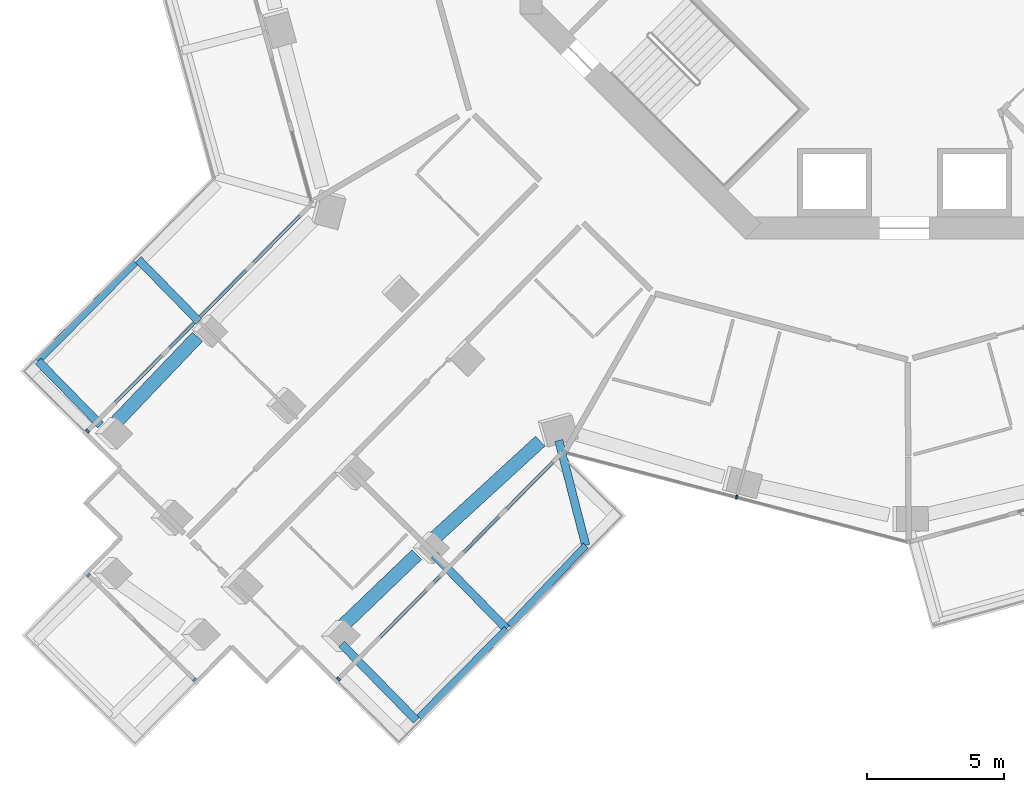
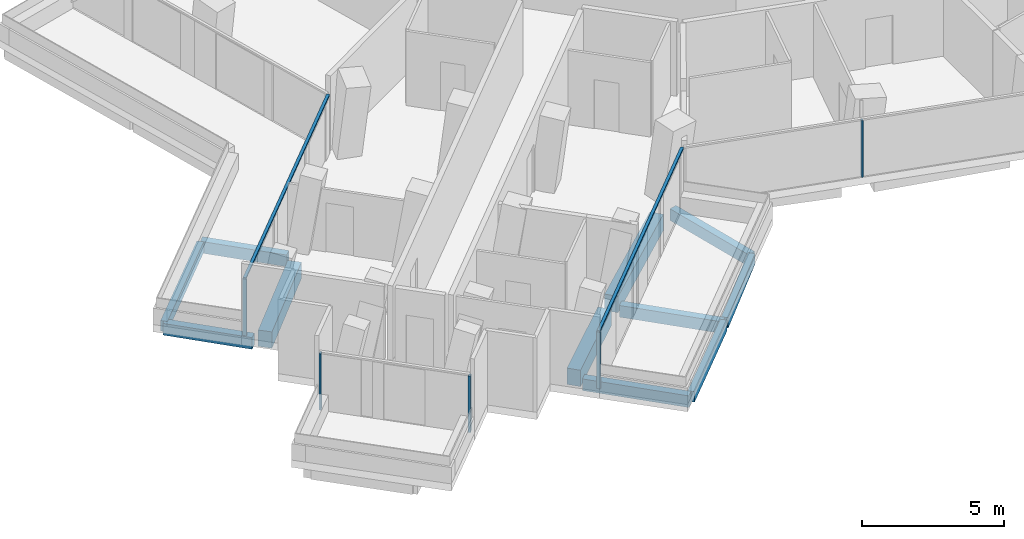
# One storey, part 2 of 26: 11 beams, 7 members, 4 elements without a shape of their own.
"""IFC4 building model written with IfcOpenShell, lengths in metres."""

import ifcopenshell
import ifcopenshell.guid

model = None  # the IFC model being written
_history = None  # IfcOwnerHistory: only IFC2X3 demands one
_inside = {}  # id of a spatial element -> (the spatial element, [elements in it])
_under = {}  # id of a project, library or spatial element -> (it, [spatial elements below it])
_declared = {}  # id of a project -> (the project, [libraries it declares])
_typed = {}  # id of a type object -> (the type object, [elements of that type])
_made_of = {}  # id of a material, layer set ... -> (it, [elements and type objects made of it])


def new_model(schema):
    """Start an empty IFC model of exactly this schema.

    Asked for "IFC4X3", IfcOpenShell would pick the latest addendum, in which some entities
    have other attributes; the version numbers below select the first issue.
    IFC2X3 requires an IfcOwnerHistory on every rooted entity: one is made here for all.
    """
    global model, _history
    if schema == "IFC4X3":
        model = ifcopenshell.file(schema_version=(4, 3, 0, 0))
    else:
        model = ifcopenshell.file(schema=schema)
    _inside.clear()
    _under.clear()
    _declared.clear()
    _typed.clear()
    _made_of.clear()
    _history = None
    if model.schema == "IFC2X3":
        org = make("IfcOrganization", Name="unknown")
        user = make(
            "IfcPersonAndOrganization",
            ThePerson=make("IfcPerson", FamilyName="unknown"),
            TheOrganization=org,
        )
        app = make(
            "IfcApplication",
            ApplicationDeveloper=org,
            Version="unknown",
            ApplicationFullName="unknown",
            ApplicationIdentifier="unknown",
        )
        _history = make(
            "IfcOwnerHistory",
            OwningUser=user,
            OwningApplication=app,
            ChangeAction="ADDED",
            CreationDate=0,
        )
    return model


def make(cls, **values):
    """One entity of the class cls with the attributes given. An attribute that is None is left unset."""
    return model.create_entity(
        cls, **{name: value for name, value in values.items() if value is not None}
    )


def rooted(cls, **values):
    """An entity with a GlobalId (a new one), such as an element, a storey or a relation."""
    return make(cls, GlobalId=ifcopenshell.guid.new(), OwnerHistory=_history, **values)


def si_unit(unit_type, name, prefix=None):
    """IfcSIUnit, for example si_unit("LENGTHUNIT", "METRE", prefix="MILLI")."""
    return make("IfcSIUnit", UnitType=unit_type, Prefix=prefix, Name=name)


def assignment(units):
    """IfcUnitAssignment: the units of a project."""
    return None if units is None else make("IfcUnitAssignment", Units=units)


def point(xyz):
    """IfcCartesianPoint."""
    return None if xyz is None else make("IfcCartesianPoint", Coordinates=xyz)


def direction(xyz):
    """IfcDirection."""
    return None if xyz is None else make("IfcDirection", DirectionRatios=xyz)


def frame(location, z_axis=None, x_axis=None):
    """IfcAxis2Placement3D, a coordinate frame: its origin and axes. An axis left out is left unset."""
    return make(
        "IfcAxis2Placement3D",
        Location=point(location),
        Axis=direction(z_axis),
        RefDirection=direction(x_axis),
    )


def frame_2d(location, x_axis=None):
    """IfcAxis2Placement2D, a coordinate frame in the plane: its origin and x axis."""
    return make(
        "IfcAxis2Placement2D", Location=point(location), RefDirection=direction(x_axis)
    )


def origin():
    """The frame at (0, 0, 0) with its axes left unset."""
    return frame((0.0, 0.0, 0.0))


def origin_2d():
    """The frame at (0, 0) in the plane with its x axis left unset."""
    return frame_2d((0.0, 0.0))


def place(relative_to, where):
    """IfcLocalPlacement: puts the frame where relative to a parent placement (None: the world)."""
    return make(
        "IfcLocalPlacement", PlacementRelTo=relative_to, RelativePlacement=where
    )


def context(
    kind, dimensions, precision=None, world=None, true_north=None, identifier=None
):
    """IfcGeometricRepresentationContext, for example the 3D "Model" context."""
    return make(
        "IfcGeometricRepresentationContext",
        ContextIdentifier=identifier,
        ContextType=kind,
        CoordinateSpaceDimension=dimensions,
        Precision=precision,
        WorldCoordinateSystem=world,
        TrueNorth=true_north,
    )


def subcontext(parent, identifier, kind, view, scale=None):
    """IfcGeometricRepresentationSubContext, for example "Body" below "Model"."""
    return make(
        "IfcGeometricRepresentationSubContext",
        ContextIdentifier=identifier,
        ContextType=kind,
        ParentContext=parent,
        TargetScale=scale,
        TargetView=view,
    )


def project(units=None, contexts=None):
    """IfcProject with its units and contexts."""
    return rooted(
        "IfcProject",
        Name="project",
        RepresentationContexts=contexts,
        UnitsInContext=assignment(units),
    )


def spatial(cls, under=None, at=None, **own):
    """A site, building, storey or space (cls), placed at a placement, below another one or the project."""
    s = rooted(cls, ObjectPlacement=at, **own)
    if under is not None:
        _under.setdefault(under.id(), (under, []))[1].append(s)
    return s


def profile(cls, at=None, kind="AREA", **sizes):
    """A parametric profile (cls). Its sizes go by their IFC names, for example OverallWidth=200.0."""
    return make(cls, ProfileType=kind, Position=at, **sizes)


def rectangle(**sizes):
    """IfcRectangleProfileDef."""
    return profile("IfcRectangleProfileDef", **sizes)


def extrude(swept, where, along, depth):
    """IfcExtrudedAreaSolid: the profile swept, set in the frame where, extruded along a direction by depth."""
    return make(
        "IfcExtrudedAreaSolid",
        SweptArea=swept,
        Position=where,
        ExtrudedDirection=direction(along),
        Depth=depth,
    )


def shape(context_of_items, identifier, shape_type, items):
    """IfcShapeRepresentation: the items that make up one representation, for example the "Body"."""
    return make(
        "IfcShapeRepresentation",
        ContextOfItems=context_of_items,
        RepresentationIdentifier=identifier,
        RepresentationType=shape_type,
        Items=items,
    )


def material(Name=None, Category=None):
    """IfcMaterial."""
    return make("IfcMaterial", Name=Name, Category=Category)


def layer(
    of_material, thickness, ventilated=None, Name=None, Category=None, Priority=None
):
    """IfcMaterialLayer: one layer of a wall or slab, of a material (None: an air gap)."""
    return make(
        "IfcMaterialLayer",
        Material=of_material,
        LayerThickness=thickness,
        IsVentilated=ventilated,
        Name=Name,
        Category=Category,
        Priority=Priority,
    )


def layer_set(layers, Name=None):
    """IfcMaterialLayerSet."""
    return make("IfcMaterialLayerSet", MaterialLayers=layers, LayerSetName=Name)


def material_profile(
    of_material, cross_section, Name=None, Category=None, Priority=None
):
    """IfcMaterialProfile: a cross section and its material."""
    return make(
        "IfcMaterialProfile",
        Name=Name,
        Material=of_material,
        Profile=cross_section,
        Priority=Priority,
        Category=Category,
    )


def profile_set(profiles, Name=None, composite=None):
    """IfcMaterialProfileSet."""
    return make(
        "IfcMaterialProfileSet",
        Name=Name,
        MaterialProfiles=profiles,
        CompositeProfile=composite,
    )


def made_of(thing, what):
    """Note that an element or type object is made of a material, layer set ...; save() writes the relation."""
    if what is not None:
        _made_of.setdefault(what.id(), (what, []))[1].append(thing)
    return thing


def type_object(cls, material=None, **own):
    """A type object (cls), such as IfcWallType, which elements share."""
    return made_of(rooted(cls, **own), material)


def element(
    cls,
    number,
    at=None,
    inside=None,
    cuts=None,
    type_object=None,
    material=None,
    context=None,
    identifier="Body",
    shape_type=None,
    held_by="IfcProductDefinitionShape",
    body=None,
    shapes=None,
    **own,
):
    """One element of the class cls, such as IfcWall. Its Tag is "e" and its number.

    at: its placement. inside: the storey or other place that contains it. cuts: it is an
    opening in that element (IfcRelVoidsElement). A single representation is given by context,
    identifier, shape_type and body (its items); several are given by shapes. held_by: the class
    of the entity that holds the representations. save() writes the other relations.
    """
    e = rooted(cls, Tag="e%d" % number, ObjectPlacement=at, **own)
    if body is not None:
        shapes = [shape(context, identifier, shape_type, body)]
    if shapes is not None:
        e.Representation = make(held_by, Representations=shapes)
    if inside is not None:
        _inside.setdefault(inside.id(), (inside, []))[1].append(e)
    if cuts is not None:
        rooted(
            "IfcRelVoidsElement", RelatingBuildingElement=cuts, RelatedOpeningElement=e
        )
    if type_object is not None:
        _typed.setdefault(type_object.id(), (type_object, []))[1].append(e)
    return made_of(e, material)


def aggregate(whole, parts):
    """IfcRelAggregates: a whole, such as a stair, and the parts it consists of."""
    return rooted("IfcRelAggregates", RelatingObject=whole, RelatedObjects=parts)


def save(model, path):
    """Write the relations noted so far, then the file.

    IfcRelAggregates (storeys below a building ...), IfcRelContainedInSpatialStructure (elements
    in a storey), IfcRelDefinesByType, IfcRelAssociatesMaterial and IfcRelDeclares: one each for
    every whole, place, type object, material and project.
    """
    for whole, parts in _under.values():
        aggregate(whole, parts)
    for where, things in _inside.values():
        rooted(
            "IfcRelContainedInSpatialStructure",
            RelatedElements=things,
            RelatingStructure=where,
        )
    for kind, things in _typed.values():
        rooted("IfcRelDefinesByType", RelatedObjects=things, RelatingType=kind)
    for what, things in _made_of.values():
        rooted("IfcRelAssociatesMaterial", RelatedObjects=things, RelatingMaterial=what)
    for by, libraries in _declared.values():
        rooted("IfcRelDeclares", RelatingContext=by, RelatedDefinitions=libraries)
    model.write(path)


model = new_model("IFC4")

# Units and contexts
model_context = context("Model", 3, precision=1e-05, world=origin(), true_north=direction((0.0, 1.0)))
body_context = subcontext(model_context, "Body", "Model", "MODEL_VIEW")
ifc_project = project(units=[si_unit("LENGTHUNIT", "METRE"), si_unit("AREAUNIT", "SQUARE_METRE"), si_unit("VOLUMEUNIT", "CUBIC_METRE"), si_unit("PLANEANGLEUNIT", "RADIAN"), si_unit("MASSUNIT", "GRAM", prefix="KILO")], contexts=[model_context])

# Site, building, storey
site_placement = place(None, origin())
site = spatial("IfcSite", under=ifc_project, at=site_placement, CompositionType="ELEMENT")
building_placement = place(site_placement, origin())
building = spatial("IfcBuilding", under=site, at=building_placement, Name="Verdalira Terraces Hotel", CompositionType="ELEMENT")
storey_placement = place(building_placement, frame((0.0, 0.0, 96.5)))
storey = spatial("IfcBuildingStorey", under=building, at=storey_placement, Name="L22", CompositionType="ELEMENT", Elevation=96.5)

# Beams
ifc_material_1 = material(Name="Concrete C40", Category="concrete")
ifc_material_profile_1 = material_profile(ifc_material_1, rectangle(XDim=0.300049, YDim=0.5, at=origin_2d()), Name="RC 300X500")
ifc_profile_set_1 = profile_set([ifc_material_profile_1], Name="Concrete C40")
beam_type_1 = type_object("IfcBeamType", Name="Balcony cantilever beam RC 300X500 C40", PredefinedType="BEAM", material=ifc_profile_set_1)
beam_1_placement = place(storey_placement, frame((-25.701172, -16.996094, -0.560059), z_axis=(-0.699679104, 0.714457243, 0.0), x_axis=(-0.714457243, -0.699679104, 0.0)))
element("IfcBeam", 1, at=beam_1_placement, inside=storey, type_object=beam_type_1, Name="Balcony cantilever beam R13-1", PredefinedType="BEAM", context=body_context, shape_type="SweptSolid", body=[
    extrude(rectangle(XDim=0.300049, YDim=0.5, at=origin_2d()), origin(), (0.0, 0.0, 1.0), 3.155273),
])
beam_2_placement = place(storey_placement, frame((-29.282227, -20.767578, -0.560059), z_axis=(-0.69964791, 0.71448779, 0.0), x_axis=(-0.71448779, -0.69964791, 0.0)))
element("IfcBeam", 2, at=beam_2_placement, inside=storey, type_object=beam_type_1, Name="Balcony cantilever beam R13-2", PredefinedType="BEAM", context=body_context, shape_type="SweptSolid", body=[
    extrude(rectangle(XDim=0.300049, YDim=0.5, at=origin_2d()), origin(), (0.0, 0.0, 1.0), 3.257324),
])
beam_3_placement = place(storey_placement, frame((-20.498779, -28.752441, -0.560059), z_axis=(0.69968096, -0.714455425, 0.0), x_axis=(0.714455425, 0.69968096, 0.0)))
element("IfcBeam", 3, at=beam_3_placement, inside=storey, type_object=beam_type_1, Name="Balcony cantilever beam R24-1", PredefinedType="BEAM", context=body_context, shape_type="SweptSolid", body=[
    extrude(rectangle(XDim=0.300049, YDim=0.5, at=origin_2d()), origin(), (0.0, 0.0, 1.0), 3.883301),
])
beam_4_placement = place(storey_placement, frame((-17.127197, -25.505371, -0.560059), z_axis=(0.699710289, -0.714426701, 0.0), x_axis=(0.714426701, 0.699710289, 0.0)))
element("IfcBeam", 4, at=beam_4_placement, inside=storey, type_object=beam_type_1, Name="Balcony cantilever beam R24-2", PredefinedType="BEAM", context=body_context, shape_type="SweptSolid", body=[
    extrude(rectangle(XDim=0.300049, YDim=0.5, at=origin_2d()), origin(), (0.0, 0.0, 1.0), 3.765869),
])
beam_5_placement = place(storey_placement, frame((-12.589844, -21.331787, -0.560059), z_axis=(0.248653419, -0.968592524, 0.0), x_axis=(0.968592524, 0.248653419, 0.0)))
element("IfcBeam", 5, at=beam_5_placement, inside=storey, type_object=beam_type_1, Name="Balcony cantilever beam R24-3", PredefinedType="BEAM", context=body_context, shape_type="SweptSolid", body=[
    extrude(rectangle(XDim=0.300049, YDim=0.5, at=origin_2d()), origin(), (0.0, 0.0, 1.0), 3.949951),
])
ifc_material_2 = material(Name="Concrete C40", Category="concrete")
ifc_material_profile_2 = material_profile(ifc_material_2, rectangle(XDim=0.25, YDim=0.449951, at=origin_2d()), Name="RC 250X450")
ifc_profile_set_2 = profile_set([ifc_material_profile_2], Name="Concrete C40")
beam_type_2 = type_object("IfcBeamType", Name="Balcony edge beam RC 250X450 C40", PredefinedType="BEAM", material=ifc_profile_set_2)
beam_6_placement = place(storey_placement, frame((-28.014404, -14.848389, -0.534912), z_axis=(-0.702643223, -0.711542339, 0.0), x_axis=(0.711542339, -0.702643223, 0.0)))
element("IfcBeam", 6, at=beam_6_placement, inside=storey, type_object=beam_type_2, Name="Balcony edge beam R13-1", PredefinedType="BEAM", context=body_context, shape_type="SweptSolid", body=[
    extrude(rectangle(XDim=0.25, YDim=0.449951, at=origin_2d()), origin(), (0.0, 0.0, 1.0), 5.047852),
])
beam_7_placement = place(storey_placement, frame((-17.676514, -31.420166, -0.534912), z_axis=(0.702675334, 0.711510629, 0.0), x_axis=(-0.711510629, 0.702675334, 0.0)))
element("IfcBeam", 7, at=beam_7_placement, inside=storey, type_object=beam_type_2, Name="Balcony edge beam R24-1", PredefinedType="BEAM", context=body_context, shape_type="SweptSolid", body=[
    extrude(rectangle(XDim=0.25, YDim=0.449951, at=origin_2d()), origin(), (0.0, 0.0, 1.0), 4.531738),
])
beam_8_placement = place(storey_placement, frame((-14.388916, -28.087158, -0.534912), z_axis=(0.688525462, 0.725212168, 0.0), x_axis=(-0.725212168, 0.688525462, 0.0)))
element("IfcBeam", 8, at=beam_8_placement, inside=storey, type_object=beam_type_2, Name="Balcony edge beam R24-2", PredefinedType="BEAM", context=body_context, shape_type="SweptSolid", body=[
    extrude(rectangle(XDim=0.25, YDim=0.449951, at=origin_2d()), origin(), (0.0, 0.0, 1.0), 4.039551),
])

# Curtain wall, member
ifc_material_3 = material(Name="Clear glass", Category="glass")
ifc_layer_1 = layer(ifc_material_3, 0.14990234375)
ifc_layer_set_1 = layer_set([ifc_layer_1], Name="CW1 curtain wall")
curtain_wall_type_1 = type_object("IfcCurtainWallType", Name="CW1 curtain wall", PredefinedType="NOTDEFINED", material=ifc_layer_set_1)
curtain_wall_1_placement = place(storey_placement, origin())
curtain_wall_1 = element("IfcCurtainWall", 9, at=curtain_wall_1_placement, inside=storey, type_object=curtain_wall_type_1, Name="CW1 curtain wall L22 edge 25", PredefinedType="NOTDEFINED")
ifc_material_4 = material(Name="Terracotta frame", Category="masonry")
ifc_material_profile_3 = material_profile(ifc_material_4, rectangle(XDim=0.060059, YDim=0.149902, at=origin_2d()), Name="MU 60x150")
ifc_profile_set_3 = profile_set([ifc_material_profile_3], Name="Terracotta frame")
member_type_1 = type_object("IfcMemberType", Name="CW1 mullion 60x150", PredefinedType="MULLION", material=ifc_profile_set_3)
member_1_placement = place(storey_placement, frame((-6.112305, -23.398193, 0.0), z_axis=(0.0, 0.0, 1.0), x_axis=(0.967532957, -0.252744885, 0.0)))
member_1 = element("IfcMember", 10, at=member_1_placement, type_object=member_type_1, Name="CW1 mullion", PredefinedType="MULLION", context=body_context, shape_type="SweptSolid", body=[
    extrude(rectangle(XDim=0.060059, YDim=0.149902, at=origin_2d()), origin(), (0.0, 0.0, 1.0), 2.425049),
])
aggregate(curtain_wall_1, [member_1])

ifc_material_5 = material(Name="Clear glass", Category="glass")
ifc_layer_2 = layer(ifc_material_5, 0.14990234375)
ifc_layer_set_2 = layer_set([ifc_layer_2], Name="CW2 curtain wall")
curtain_wall_type_2 = type_object("IfcCurtainWallType", Name="CW2 curtain wall", PredefinedType="NOTDEFINED", material=ifc_layer_set_2)
curtain_wall_2_placement = place(storey_placement, origin())
curtain_wall_2 = element("IfcCurtainWall", 11, at=curtain_wall_2_placement, inside=storey, type_object=curtain_wall_type_2, Name="CW2 curtain wall L22 edge 14", PredefinedType="NOTDEFINED")
ifc_material_6 = material(Name="Terracotta frame", Category="masonry")
ifc_material_profile_4 = material_profile(ifc_material_6, rectangle(XDim=0.070068, YDim=0.149902, at=origin_2d()), Name="MU 70x150")
ifc_profile_set_4 = profile_set([ifc_material_profile_4], Name="Terracotta frame")
member_type_2 = type_object("IfcMemberType", Name="CW2 mullion 70x150", PredefinedType="MULLION", material=ifc_profile_set_4)
member_2_placement = place(storey_placement, frame((-29.75708, -20.989502, 0.0), z_axis=(0.0, 0.0, 1.0), x_axis=(-0.70264997, -0.711535677, 0.0)))
member_2 = element("IfcMember", 12, at=member_2_placement, type_object=member_type_2, Name="CW2 mullion", PredefinedType="MULLION", context=body_context, shape_type="SweptSolid", body=[
    extrude(rectangle(XDim=0.070068, YDim=0.149902, at=origin_2d()), origin(), (0.0, 0.0, 1.0), 2.425049),
])

curtain_wall_3_placement = place(storey_placement, origin())
curtain_wall_3 = element("IfcCurtainWall", 13, at=curtain_wall_3_placement, inside=storey, type_object=curtain_wall_type_2, Name="CW2 curtain wall L22 edge 24", PredefinedType="NOTDEFINED")
member_3_placement = place(storey_placement, frame((-20.614014, -30.018555, 0.0), z_axis=(0.0, 0.0, 1.0), x_axis=(0.70264997, 0.711535677, 0.0)))
member_3 = element("IfcMember", 14, at=member_3_placement, type_object=member_type_2, Name="CW2 mullion", PredefinedType="MULLION", context=body_context, shape_type="SweptSolid", body=[
    extrude(rectangle(XDim=0.070068, YDim=0.149902, at=origin_2d()), origin(), (0.0, 0.0, 1.0), 2.425049),
])

# Member
ifc_material_7 = material(Name="Terracotta frame", Category="masonry")
ifc_material_profile_5 = material_profile(ifc_material_7, rectangle(XDim=0.11499, YDim=0.064941, at=origin_2d()), Name="TR 65x115")
ifc_profile_set_5 = profile_set([ifc_material_profile_5], Name="Terracotta frame")
member_type_3 = type_object("IfcMemberType", Name="CW2 transom 65x115", PredefinedType="USERDEFINED", material=ifc_profile_set_5)
member_4_placement = place(storey_placement, frame((-21.616699, -12.746094, 2.45752), z_axis=(-0.702649262, -0.711536376, 0.0), x_axis=(0.711536376, -0.702649262, 0.0)))
member_4 = element("IfcMember", 15, at=member_4_placement, type_object=member_type_3, Name="CW2 transom", ObjectType="TRANSOM", PredefinedType="USERDEFINED", context=body_context, shape_type="SweptSolid", body=[
    extrude(rectangle(XDim=0.11499, YDim=0.064941, at=origin_2d()), origin(), (0.0, 0.0, 1.0), 11.620361),
])

aggregate(curtain_wall_2, [member_2, member_4])

member_5_placement = place(storey_placement, frame((-20.638672, -30.043457, 2.45752), z_axis=(0.702659899, 0.711525872, 0.0), x_axis=(-0.711525872, 0.702659899, 0.0)))
member_5 = element("IfcMember", 16, at=member_5_placement, type_object=member_type_3, Name="CW2 transom", ObjectType="TRANSOM", PredefinedType="USERDEFINED", context=body_context, shape_type="SweptSolid", body=[
    extrude(rectangle(XDim=0.11499, YDim=0.064941, at=origin_2d()), origin(), (0.0, 0.0, 1.0), 11.620605),
])

aggregate(curtain_wall_3, [member_3, member_5])

# Curtain wall, members
ifc_material_8 = material(Name="Clear glass", Category="glass")
ifc_layer_3 = layer(ifc_material_8, 0.14990234375)
ifc_layer_set_3 = layer_set([ifc_layer_3], Name="CW3 curtain wall")
curtain_wall_type_3 = type_object("IfcCurtainWallType", Name="CW3 curtain wall", PredefinedType="NOTDEFINED", material=ifc_layer_set_3)
curtain_wall_4_placement = place(storey_placement, origin())
curtain_wall_4 = element("IfcCurtainWall", 17, at=curtain_wall_4_placement, inside=storey, type_object=curtain_wall_type_3, Name="CW3 curtain wall L22 edge 19", PredefinedType="NOTDEFINED")
ifc_material_9 = material(Name="Terracotta frame", Category="masonry")
ifc_material_profile_6 = material_profile(ifc_material_9, rectangle(XDim=0.080078, YDim=0.149902, at=origin_2d()), Name="MU 80x150")
ifc_profile_set_6 = profile_set([ifc_material_profile_6], Name="Terracotta frame")
member_type_4 = type_object("IfcMemberType", Name="CW3 mullion 80x150", PredefinedType="MULLION", material=ifc_profile_set_6)
member_6_placement = place(storey_placement, frame((-29.720703, -26.239746, 0.0), z_axis=(0.0, 0.0, 1.0), x_axis=(0.711535677, -0.70264997, 0.0)))
member_6 = element("IfcMember", 18, at=member_6_placement, type_object=member_type_4, Name="CW3 mullion", PredefinedType="MULLION", context=body_context, shape_type="SweptSolid", body=[
    extrude(rectangle(XDim=0.080078, YDim=0.149902, at=origin_2d()), origin(), (0.0, 0.0, 1.0), 2.425049),
])
member_7_placement = place(storey_placement, frame((-25.864258, -30.048096, 0.0), z_axis=(0.0, 0.0, 1.0), x_axis=(0.711535677, -0.70264997, 0.0)))
member_7 = element("IfcMember", 19, at=member_7_placement, type_object=member_type_4, Name="CW3 mullion", PredefinedType="MULLION", context=body_context, shape_type="SweptSolid", body=[
    extrude(rectangle(XDim=0.080078, YDim=0.149902, at=origin_2d()), origin(), (0.0, 0.0, 1.0), 2.425049),
])
aggregate(curtain_wall_4, [member_6, member_7])

# Beams
ifc_material_10 = material(Name="Concrete C70", Category="concrete")
ifc_material_profile_7 = material_profile(ifc_material_10, rectangle(XDim=0.5, YDim=0.699951, at=origin_2d()), Name="RC 500X700")
ifc_profile_set_7 = profile_set([ifc_material_profile_7], Name="Concrete C70")
beam_type_3 = type_object("IfcBeamType", Name="Spandrel beam RC 500X700 C70", PredefinedType="SPANDREL", material=ifc_profile_set_7)
beam_9_placement = place(storey_placement, frame((-25.754883, -17.557861, -0.659912), z_axis=(-0.68992937, -0.723876691, 0.0), x_axis=(0.723876691, -0.68992937, 0.0)))
element("IfcBeam", 20, at=beam_9_placement, inside=storey, type_object=beam_type_3, Name="Spandrel beam B11", PredefinedType="SPANDREL", context=body_context, shape_type="SweptSolid", body=[
    extrude(rectangle(XDim=0.5, YDim=0.699951, at=origin_2d()), origin(), (0.0, 0.0, 1.0), 4.401367),
])
beam_10_placement = place(storey_placement, frame((-20.574219, -28.190674, -0.659912), z_axis=(0.72138607, 0.692533131, 0.0), x_axis=(-0.692533131, 0.72138607, 0.0)))
element("IfcBeam", 21, at=beam_10_placement, inside=storey, type_object=beam_type_3, Name="Spandrel beam B13", PredefinedType="SPANDREL", context=body_context, shape_type="SweptSolid", body=[
    extrude(rectangle(XDim=0.5, YDim=0.699951, at=origin_2d()), origin(), (0.0, 0.0, 1.0), 3.900879),
])
beam_11_placement = place(storey_placement, frame((-17.164307, -24.93042, -0.659912), z_axis=(0.737355433, 0.675504971, 0.0), x_axis=(-0.675504971, 0.737355433, 0.0)))
element("IfcBeam", 22, at=beam_11_placement, inside=storey, type_object=beam_type_3, Name="Spandrel beam B14", PredefinedType="SPANDREL", context=body_context, shape_type="SweptSolid", body=[
    extrude(rectangle(XDim=0.5, YDim=0.699951, at=origin_2d()), origin(), (0.0, 0.0, 1.0), 5.2854),
])

save(model, "model.ifc")
